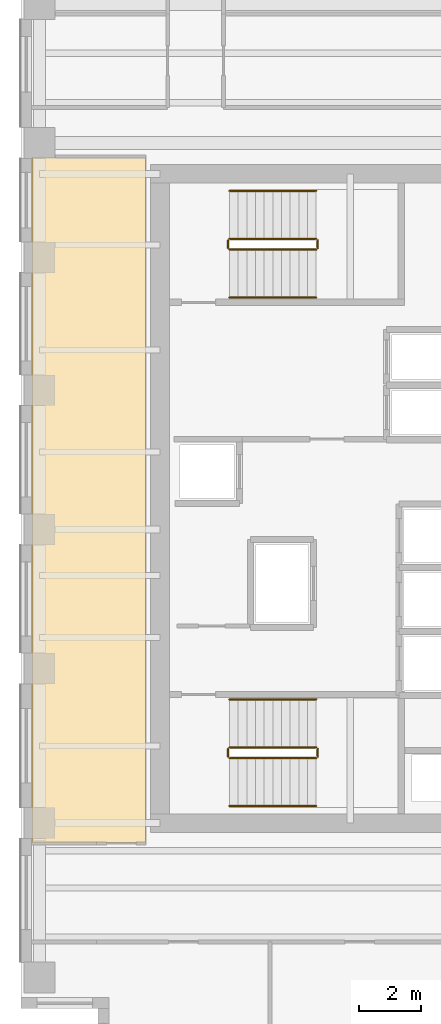
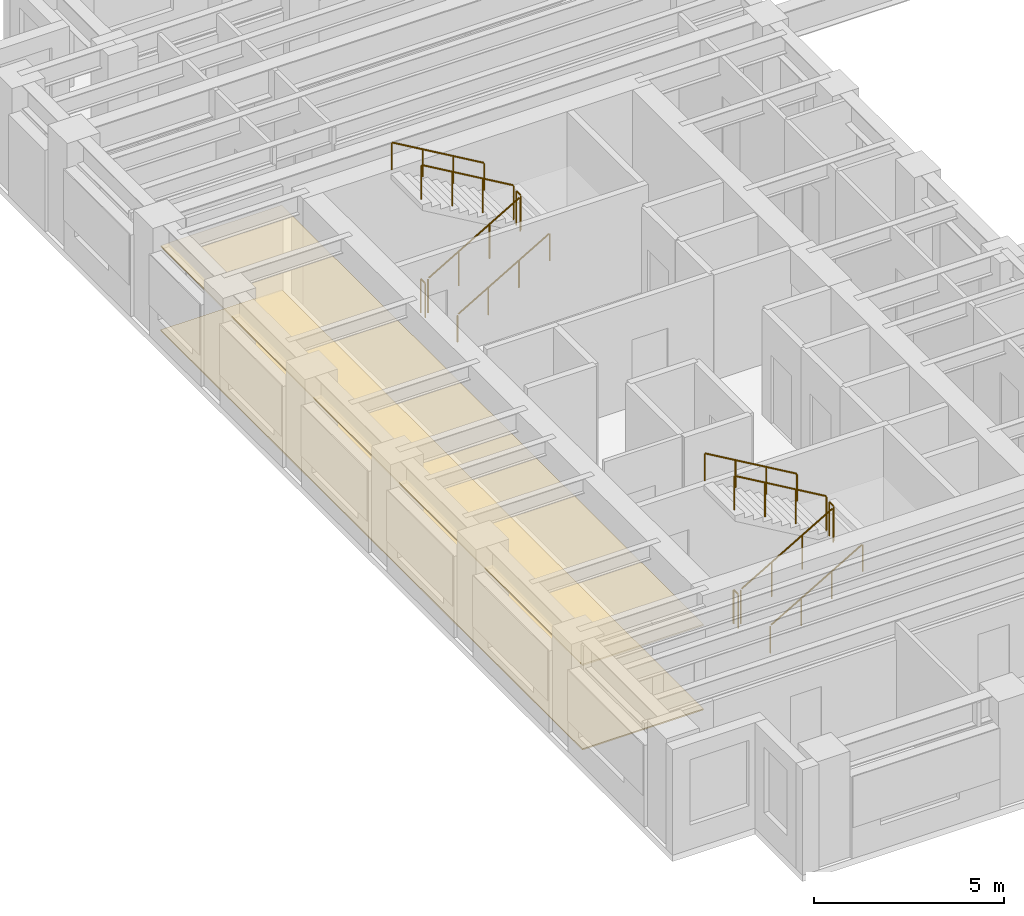
# One storey, part 13 of 14: 12 railings, 2 coverings.
"""IFC4 building model written with IfcOpenShell, lengths in metres."""

from ifc_helpers import new_model, si_unit, direction, frame, origin, origin_2d, place, context, subcontext, project, spatial, polyline, circle, outline, extrude, source, transform, mapped, material, layer, layer_set, type_object, element, save


model = new_model("IFC4")

# Units and contexts
model_context = context("Model", 3, precision=1e-05, world=origin(), true_north=direction((0.0, 1.0)))
body_context = subcontext(model_context, "Body", "Model", "MODEL_VIEW")
ifc_project = project(units=[si_unit("LENGTHUNIT", "METRE"), si_unit("AREAUNIT", "SQUARE_METRE"), si_unit("VOLUMEUNIT", "CUBIC_METRE"), si_unit("PLANEANGLEUNIT", "RADIAN"), si_unit("MASSUNIT", "GRAM", prefix="KILO")], contexts=[model_context])

# Site, building, storey
site_placement = place(None, origin())
site = spatial("IfcSite", under=ifc_project, at=site_placement, CompositionType="ELEMENT")
building_placement = place(site_placement, origin())
building = spatial("IfcBuilding", under=site, at=building_placement, Name="Kharzan Plaza Tower", CompositionType="ELEMENT")
storey_placement = place(building_placement, frame((0.0, 0.0, 168.300048828125)))
storey = spatial("IfcBuildingStorey", under=building, at=storey_placement, Name="L45", CompositionType="ELEMENT", Elevation=168.300048828125)

# Coverings
ifc_material_1 = material(Name="Perforated Acoustic Mineral-Fibre Tile", Category="gypsum")
ifc_layer_1 = layer(ifc_material_1, 0.044921875)
ifc_layer_set_1 = layer_set([ifc_layer_1], Name="Perforated Acoustic Mineral-Fibre Tile")
covering_type_1 = type_object("IfcCoveringType", Name="COV-CEIL-ACT", PredefinedType="CEILING", material=ifc_layer_set_1)
covering_1_placement = place(storey_placement, frame((0.0, 0.0, 2.704833984375)))
element("IfcCovering", 1, at=covering_1_placement, inside=storey, type_object=covering_type_1, Name="L45 Suspended Acoustic Ceiling RW1", PredefinedType="CEILING", context=body_context, shape_type="SweptSolid", body=[
    extrude(outline(polyline([(0.360107421875, 7.860107421875), (4.0400390625, 7.860107421875), (4.0400390625, 30.0400390625), (0.360107421875, 30.0400390625), (0.360107421875, 7.860107421875)])), origin(), (0.0, 0.0, 1.0), 0.045166015625),
])
ifc_material_2 = material(Name="Honed Najran Granite Terrazzo", Category="masonry")
ifc_layer_2 = layer(ifc_material_2, 0.0400390625)
ifc_layer_set_2 = layer_set([ifc_layer_2], Name="Honed Najran Granite Terrazzo")
covering_type_2 = type_object("IfcCoveringType", Name="COV-FLOOR-STN", PredefinedType="FLOORING", material=ifc_layer_set_2)
covering_2_placement = place(storey_placement, origin())
element("IfcCovering", 2, at=covering_2_placement, inside=storey, type_object=covering_type_2, Name="L45 Honed Granite Terrazzo Flooring RW1", PredefinedType="FLOORING", context=body_context, shape_type="SweptSolid", body=[
    extrude(outline(polyline([(0.360107421875, 7.860107421875), (4.0400390625, 7.860107421875), (4.0400390625, 30.0400390625), (0.360107421875, 30.0400390625), (0.360107421875, 7.860107421875)])), origin(), (0.0, 0.0, 1.0), 0.0400390625),
])

# Railings
ifc_material_3 = material(Name="Painted Galvanized Architectural Steel", Category="steel")
ifc_layer_3 = layer(ifc_material_3, 0.074951171875)
ifc_layer_set_3 = layer_set([ifc_layer_3], Name="Painted Galvanized Architectural Steel")
railing_type_1 = type_object("IfcRailingType", Name="RL-GUARD-1120", PredefinedType="BALUSTRADE", material=ifc_layer_set_3)
shared_shape_1 = source(origin(), body_context, "Body", "SweptSolid", [
    extrude(circle(Radius=0.02392578125, at=origin_2d()), frame((0.0, 0.0263671875, 1.09619140625), z_axis=(0.0, 1.0, 0.0), x_axis=(-1.0, 0.0, 0.0)), (0.0, 0.0, 1.0), 0.197021484375),
    extrude(circle(Radius=0.02099609375, at=origin_2d()), origin(), (0.0, 0.0, 1.0), 1.072021484375),
    extrude(circle(Radius=0.02099609375, at=origin_2d()), frame((0.0, 0.25, 0.0)), (0.0, 0.0, 1.0), 1.072021484375),
])
for number, where, name in (
    (3, (9.60009765625, 10.64990234375, 1.800048828125), "L45 ST-1 stair guard 2"),
    (4, (6.699951171875, 10.64990234375, 0.0), "L45 ST-1 stair guard 4"),
    (5, (9.60009765625, 27.10009765625, 1.800048828125), "L45 ST-2 stair guard 2"),
    (6, (6.699951171875, 27.10009765625, 0.0), "L45 ST-2 stair guard 4"),
):
    element("IfcRailing", number, at=place(storey_placement, frame(where)), inside=storey, type_object=railing_type_1, Name=name, PredefinedType="BALUSTRADE", context=body_context, shape_type="MappedRepresentation", body=[
        mapped(shared_shape_1, transform((0.0, 0.0, 0.0), x_axis=(1.0, 0.0, 0.0), y_axis=(0.0, 1.0, 0.0), z_axis=(0.0, 0.0, 1.0))),
    ])
shared_shape_2 = source(origin(), body_context, "Body", "SweptSolid", [
    extrude(circle(Radius=0.02392578125, at=origin_2d()), frame((0.02294921875, 0.0, 1.109375), z_axis=(0.863360870873, 0.0, 0.504586966384), x_axis=(0.0, 1.0, 0.0)), (0.0, 0.0, 1.0), 3.190185546875),
    extrude(circle(Radius=0.02099609375, at=origin_2d()), origin(), (0.0, 0.0, 1.0), 1.072021484375),
    extrude(circle(Radius=0.02099609375, at=origin_2d()), frame((0.933349609375, 0.0, 0.54541015625)), (0.0, 0.0, 1.0), 1.072021484375),
    extrude(circle(Radius=0.02099609375, at=origin_2d()), frame((1.86669921875, 0.0, 1.091064453125)), (0.0, 0.0, 1.0), 1.072021484375),
    extrude(circle(Radius=0.02099609375, at=origin_2d()), frame((2.800048828125, 0.0, 1.636474609375)), (0.0, 0.0, 1.0), 1.072021484375),
])
for number, where, name in (
    (7, (6.75, 10.60009765625, 0.16357421875), "L45 ST-1 stair guard 1"),
    (8, (6.75, 27.050048828125, 0.16357421875), "L45 ST-2 stair guard 1"),
):
    element("IfcRailing", number, at=place(storey_placement, frame(where)), inside=storey, type_object=railing_type_1, Name=name, PredefinedType="BALUSTRADE", context=body_context, shape_type="MappedRepresentation", body=[
        mapped(shared_shape_2, transform((0.0, 0.0, 0.0), x_axis=(1.0, 0.0, 0.0), y_axis=(0.0, 1.0, 0.0), z_axis=(0.0, 0.0, 1.0))),
    ])
ifc_material_4 = material(Name="Brushed Stainless Steel", Category="steel")
ifc_layer_4 = layer(ifc_material_4, 0.050048828125)
ifc_layer_set_4 = layer_set([ifc_layer_4], Name="Brushed Stainless Steel")
railing_type_2 = type_object("IfcRailingType", Name="RL-STAIR-HR920", PredefinedType="HANDRAIL", material=ifc_layer_set_4)
shared_shape_3 = source(origin(), body_context, "Body", "SweptSolid", [
    extrude(circle(Radius=0.02392578125, at=origin_2d()), frame((0.02294921875, 0.0, 0.88916015625), z_axis=(0.863360870873, 0.0, 0.504586966384), x_axis=(0.0, 1.0, 0.0)), (0.0, 0.0, 1.0), 3.190185546875),
    extrude(circle(Radius=0.02099609375, at=origin_2d()), origin(), (0.0, 0.0, 1.0), 0.851806640625),
    extrude(circle(Radius=0.02099609375, at=origin_2d()), frame((0.933349609375, 0.0, 0.54541015625)), (0.0, 0.0, 1.0), 0.851806640625),
    extrude(circle(Radius=0.02099609375, at=origin_2d()), frame((1.86669921875, 0.0, 1.091064453125)), (0.0, 0.0, 1.0), 0.851806640625),
    extrude(circle(Radius=0.02099609375, at=origin_2d()), frame((2.800048828125, 0.0, 1.636474609375)), (0.0, 0.0, 1.0), 0.851806640625),
])
for number, where, name in (
    (9, (6.75, 9.050048828125, 0.16357421875), "L45 ST-1 stair handrail 1"),
    (10, (6.75, 25.5, 0.16357421875), "L45 ST-2 stair handrail 1"),
):
    element("IfcRailing", number, at=place(storey_placement, frame(where)), inside=storey, type_object=railing_type_2, Name=name, PredefinedType="HANDRAIL", context=body_context, shape_type="MappedRepresentation", body=[
        mapped(shared_shape_3, transform((0.0, 0.0, 0.0), x_axis=(1.0, 0.0, 0.0), y_axis=(0.0, 1.0, 0.0), z_axis=(0.0, 0.0, 1.0))),
    ])
shared_shape_4 = source(origin(), body_context, "Body", "SweptSolid", [
    extrude(circle(Radius=0.02392578125, at=origin_2d()), frame((-0.02294921875, 0.0, 1.109375), z_axis=(-0.863393664356, 0.0, 0.504530851732), x_axis=(0.0, -1.0, 0.0)), (0.0, 0.0, 1.0), 3.190185546875),
    extrude(circle(Radius=0.02099609375, at=origin_2d()), origin(), (0.0, 0.0, 1.0), 1.072021484375),
    extrude(circle(Radius=0.02099609375, at=origin_2d()), frame((-0.933349609375, 0.0, 0.54541015625)), (0.0, 0.0, 1.0), 1.072021484375),
    extrude(circle(Radius=0.02099609375, at=origin_2d()), frame((-1.86669921875, 0.0, 1.0908203125)), (0.0, 0.0, 1.0), 1.072021484375),
    extrude(circle(Radius=0.02099609375, at=origin_2d()), frame((-2.800048828125, 0.0, 1.63623046875)), (0.0, 0.0, 1.0), 1.072021484375),
])
for number, where, name in (
    (11, (9.550048828125, 10.949951171875, 1.963623046875), "L45 ST-1 stair guard 3"),
    (12, (9.550048828125, 27.39990234375, 1.963623046875), "L45 ST-2 stair guard 3"),
):
    element("IfcRailing", number, at=place(storey_placement, frame(where)), inside=storey, type_object=railing_type_1, Name=name, PredefinedType="BALUSTRADE", context=body_context, shape_type="MappedRepresentation", body=[
        mapped(shared_shape_4, transform((0.0, 0.0, 0.0), x_axis=(1.0, 0.0, 0.0), y_axis=(0.0, 1.0, 0.0), z_axis=(0.0, 0.0, 1.0))),
    ])
shared_shape_5 = source(origin(), body_context, "Body", "SweptSolid", [
    extrude(circle(Radius=0.02392578125, at=origin_2d()), frame((-0.02294921875, 0.0, 0.88916015625), z_axis=(-0.863393664356, 0.0, 0.504530851732), x_axis=(0.0, -1.0, 0.0)), (0.0, 0.0, 1.0), 3.190185546875),
    extrude(circle(Radius=0.02099609375, at=origin_2d()), origin(), (0.0, 0.0, 1.0), 0.851806640625),
    extrude(circle(Radius=0.02099609375, at=origin_2d()), frame((-0.933349609375, 0.0, 0.54541015625)), (0.0, 0.0, 1.0), 0.851806640625),
    extrude(circle(Radius=0.02099609375, at=origin_2d()), frame((-1.86669921875, 0.0, 1.0908203125)), (0.0, 0.0, 1.0), 0.851806640625),
    extrude(circle(Radius=0.02099609375, at=origin_2d()), frame((-2.800048828125, 0.0, 1.63623046875)), (0.0, 0.0, 1.0), 0.851806640625),
])
for number, where, name in (
    (13, (9.550048828125, 12.5, 1.963623046875), "L45 ST-1 stair handrail 2"),
    (14, (9.550048828125, 28.949951171875, 1.963623046875), "L45 ST-2 stair handrail 2"),
):
    element("IfcRailing", number, at=place(storey_placement, frame(where)), inside=storey, type_object=railing_type_2, Name=name, PredefinedType="HANDRAIL", context=body_context, shape_type="MappedRepresentation", body=[
        mapped(shared_shape_5, transform((0.0, 0.0, 0.0), x_axis=(1.0, 0.0, 0.0), y_axis=(0.0, 1.0, 0.0), z_axis=(0.0, 0.0, 1.0))),
    ])

save(model, "model.ifc")
